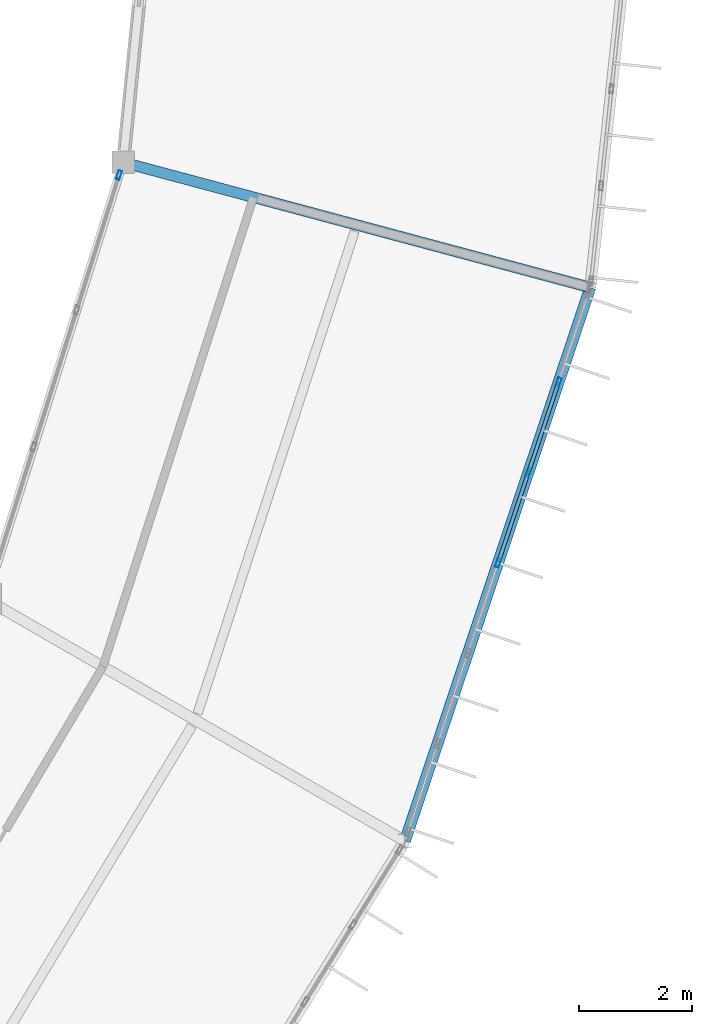
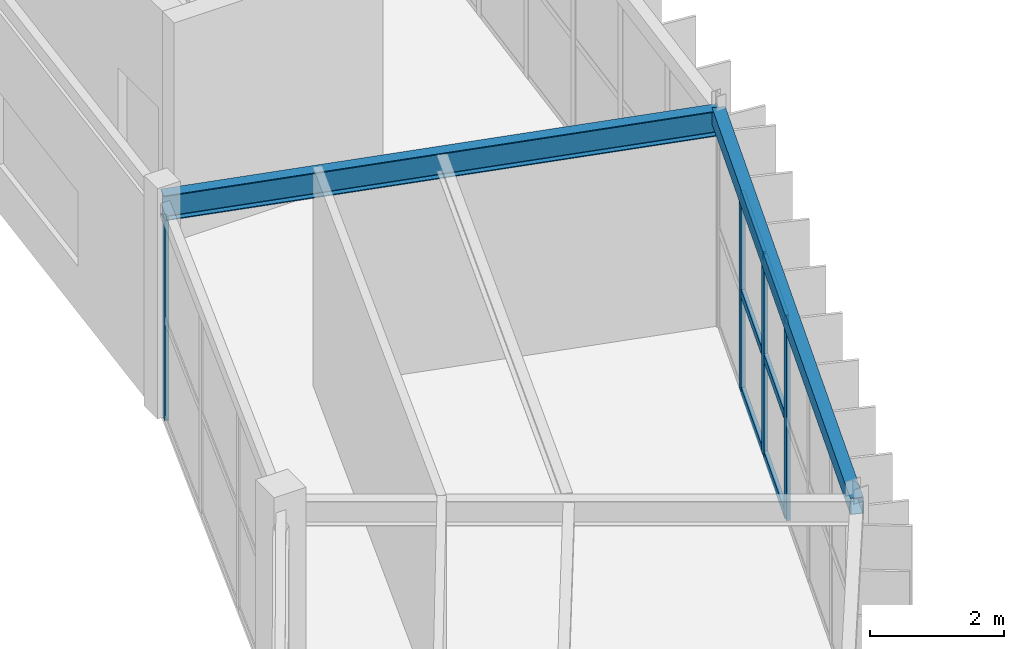
# One storey, part 59 of 134: 10 members, 2 beams, 2 elements without a shape of their own.
"""IFC4 building model written with IfcOpenShell, lengths in metres."""

from ifc_helpers import new_model, si_unit, direction, frame, origin, origin_2d, place, context, subcontext, project, spatial, hollow_rectangle, i_section, extrude, material, material_profile, profile_set, type_object, element, aggregate, save


model = new_model("IFC4")

# Units and contexts
model_context = context("Model", 3, precision=1e-05, world=origin(), true_north=direction((0.0, 1.0)))
body_context = subcontext(model_context, "Body", "Model", "MODEL_VIEW")
ifc_project = project(units=[si_unit("LENGTHUNIT", "METRE"), si_unit("AREAUNIT", "SQUARE_METRE"), si_unit("VOLUMEUNIT", "CUBIC_METRE"), si_unit("PLANEANGLEUNIT", "RADIAN"), si_unit("MASSUNIT", "GRAM", prefix="KILO")], contexts=[model_context])

# Site, building, storey
site_placement = place(None, origin())
site = spatial("IfcSite", under=ifc_project, at=site_placement, CompositionType="ELEMENT")
building_placement = place(site_placement, origin())
building = spatial("IfcBuilding", under=site, at=building_placement, Name="Karori Crest Natural Sciences Institute", CompositionType="ELEMENT")
storey_placement = place(building_placement, frame((0.0, 0.0, 21.699951171875)))
storey = spatial("IfcBuildingStorey", under=building, at=storey_placement, Name="L05", CompositionType="ELEMENT", Elevation=21.699951171875)

# Beams
ifc_material_1 = material(Name="Structural steel AS/NZS 3679.1 Grade 350", Category="steel")
ifc_material_profile_1 = material_profile(ifc_material_1, i_section(OverallWidth=0.19091796875, OverallDepth=0.4599609375, WebThickness=0.010009765625, FlangeThickness=0.01611328125, FilletRadius=0.010986328125, at=origin_2d()), Name="460UB82.1")
ifc_profile_set_1 = profile_set([ifc_material_profile_1], Name="Structural steel AS/NZS 3679.1 Grade 350")
beam_type_1 = type_object("IfcBeamType", Name="BT-06", PredefinedType="BEAM", material=ifc_profile_set_1)
beam_1_placement = place(storey_placement, frame((89.968505859375, 41.56591796875, 3.7099609375), z_axis=(0.96592752402, -0.258812709002, 0.0), x_axis=(0.258812709002, 0.96592752402, 0.0)))
element("IfcBeam", 1, at=beam_1_placement, inside=storey, type_object=beam_type_1, Name="Beam B-0618", PredefinedType="BEAM", context=body_context, shape_type="SweptSolid", body=[
    extrude(i_section(OverallWidth=0.19091796875, OverallDepth=0.4599609375, WebThickness=0.010009765625, FlangeThickness=0.01611328125, FilletRadius=0.010986328125, at=origin_2d()), origin(), (0.0, 0.0, 1.0), 8.60009765625),
])
ifc_material_2 = material(Name="Hollow structural steel AS/NZS 1163 Grade C350", Category="steel")
ifc_material_profile_2 = material_profile(ifc_material_2, hollow_rectangle(XDim=0.199951171875, YDim=0.300048828125, WallThickness=0.010009765625, at=origin_2d()), Name="RHS300x200x10")
ifc_profile_set_2 = profile_set([ifc_material_profile_2], Name="Hollow structural steel AS/NZS 1163 Grade C350")
beam_type_2 = type_object("IfcBeamType", Name="BT-15", PredefinedType="SPANDREL", material=ifc_profile_set_2)
beam_2_placement = place(storey_placement, frame((94.978759765625, 29.5, 3.7900390625), z_axis=(0.317688324477, 0.948195195353, 0.0), x_axis=(-0.948195195353, 0.317688324477, 0.0)))
element("IfcBeam", 2, at=beam_2_placement, inside=storey, type_object=beam_type_2, Name="Beam B-0612", PredefinedType="SPANDREL", context=body_context, shape_type="SweptSolid", body=[
    extrude(hollow_rectangle(XDim=0.199951171875, YDim=0.300048828125, WallThickness=0.010009765625, at=origin_2d()), origin(), (0.0, 0.0, 1.0), 10.377685546875),
])

# Curtain wall, members
ifc_material_3 = material(Name="Anodised architectural aluminium 6063-T6", Category="aluminium")
curtain_wall_type_1 = type_object("IfcCurtainWallType", Name="CWT-03", PredefinedType="NOTDEFINED", material=ifc_material_3)
curtain_wall_1_placement = place(storey_placement, origin())
curtain_wall_1 = element("IfcCurtainWall", 3, at=curtain_wall_1_placement, inside=storey, type_object=curtain_wall_type_1, Name="Curtain wall CW-0205", PredefinedType="NOTDEFINED")
ifc_material_profile_3 = material_profile(ifc_material_3, hollow_rectangle(XDim=0.06494140625, YDim=0.159912109375, WallThickness=0.00390625, at=origin_2d()), Name="CWM160x65x4")
ifc_profile_set_3 = profile_set([ifc_material_profile_3], Name="Anodised architectural aluminium 6063-T6")
member_type_1 = type_object("IfcMemberType", Name="CWM-01", PredefinedType="MULLION", material=ifc_profile_set_3)
member_1_placement = place(storey_placement, frame((97.7109375, 37.655029296875, 0.0), z_axis=(0.0, 0.0, 1.0), x_axis=(0.94819805026, -0.317679803392, 0.0)))
member_1 = element("IfcMember", 4, at=member_1_placement, type_object=member_type_1, Name="CW-0205 mullion 2", PredefinedType="MULLION", context=body_context, shape_type="SweptSolid", body=[
    extrude(hollow_rectangle(XDim=0.06494140625, YDim=0.159912109375, WallThickness=0.00390625, at=origin_2d()), origin(), (0.0, 0.0, 1.0), 3.625),
])
member_2_placement = place(storey_placement, frame((97.1728515625, 36.049072265625, 0.0), z_axis=(0.0, 0.0, 1.0), x_axis=(0.94819805026, -0.317679803392, 0.0)))
member_2 = element("IfcMember", 5, at=member_2_placement, type_object=member_type_1, Name="CW-0205 mullion 3", PredefinedType="MULLION", context=body_context, shape_type="SweptSolid", body=[
    extrude(hollow_rectangle(XDim=0.06494140625, YDim=0.159912109375, WallThickness=0.00390625, at=origin_2d()), origin(), (0.0, 0.0, 1.0), 3.625),
])
member_3_placement = place(storey_placement, frame((96.635009765625, 34.443115234375, 0.0), z_axis=(0.0, 0.0, 1.0), x_axis=(0.94819805026, -0.317679803392, 0.0)))
member_3 = element("IfcMember", 6, at=member_3_placement, type_object=member_type_1, Name="CW-0205 mullion 4", PredefinedType="MULLION", context=body_context, shape_type="SweptSolid", body=[
    extrude(hollow_rectangle(XDim=0.06494140625, YDim=0.159912109375, WallThickness=0.00390625, at=origin_2d()), origin(), (0.0, 0.0, 1.0), 3.625),
])

# Curtain wall, member
curtain_wall_type_2 = type_object("IfcCurtainWallType", Name="CWT-13", PredefinedType="NOTDEFINED", material=ifc_material_3)
curtain_wall_2_placement = place(storey_placement, origin())
curtain_wall_2 = element("IfcCurtainWall", 7, at=curtain_wall_2_placement, inside=storey, type_object=curtain_wall_type_2, Name="Curtain wall CW-0206", PredefinedType="NOTDEFINED")
member_4_placement = place(storey_placement, frame((89.896728515625, 41.3369140625, 0.0), z_axis=(0.0, 0.0, 1.0), x_axis=(-0.954104067778, 0.299475254154, 0.0)))
member_4 = element("IfcMember", 8, at=member_4_placement, type_object=member_type_1, Name="CW-0206 mullion 4", PredefinedType="MULLION", context=body_context, shape_type="SweptSolid", body=[
    extrude(hollow_rectangle(XDim=0.06494140625, YDim=0.159912109375, WallThickness=0.00390625, at=origin_2d()), origin(), (0.0, 0.0, 1.0), 3.650146484375),
])
aggregate(curtain_wall_2, [member_4])

# Member
ifc_material_profile_4 = material_profile(ifc_material_3, hollow_rectangle(XDim=0.06494140625, YDim=0.14990234375, WallThickness=0.00390625, at=origin_2d()), Name="CWT150x65x4")
ifc_profile_set_4 = profile_set([ifc_material_profile_4], Name="Anodised architectural aluminium 6063-T6")
member_type_2 = type_object("IfcMemberType", Name="CWT-TR2", PredefinedType="USERDEFINED", material=ifc_profile_set_4)
member_5_placement = place(storey_placement, frame((97.70068359375, 37.624267578125, 0.032470703125), z_axis=(-0.317621421426, -0.948217608279, 0.0), x_axis=(0.948217608279, -0.317621421426, 0.0)))
member_5 = element("IfcMember", 9, at=member_5_placement, type_object=member_type_2, Name="CW-0205 transom 2.1", ObjectType="TRANSOM", PredefinedType="USERDEFINED", context=body_context, shape_type="SweptSolid", body=[
    extrude(hollow_rectangle(XDim=0.06494140625, YDim=0.14990234375, WallThickness=0.00390625, at=origin_2d()), origin(), (0.0, 0.0, 1.0), 1.628662109375),
])

member_6_placement = place(storey_placement, frame((97.70068359375, 37.624267578125, 1.8125), z_axis=(-0.317621421426, -0.948217608279, 0.0), x_axis=(0.948217608279, -0.317621421426, 0.0)))
member_6 = element("IfcMember", 10, at=member_6_placement, type_object=member_type_2, Name="CW-0205 transom 2.2", ObjectType="TRANSOM", PredefinedType="USERDEFINED", context=body_context, shape_type="SweptSolid", body=[
    extrude(hollow_rectangle(XDim=0.06494140625, YDim=0.14990234375, WallThickness=0.00390625, at=origin_2d()), origin(), (0.0, 0.0, 1.0), 1.628662109375),
])

member_7_placement = place(storey_placement, frame((97.70068359375, 37.624267578125, 3.592529296875), z_axis=(-0.317621421426, -0.948217608279, 0.0), x_axis=(0.948217608279, -0.317621421426, 0.0)))
member_7 = element("IfcMember", 11, at=member_7_placement, type_object=member_type_2, Name="CW-0205 transom 2.3", ObjectType="TRANSOM", PredefinedType="USERDEFINED", context=body_context, shape_type="SweptSolid", body=[
    extrude(hollow_rectangle(XDim=0.06494140625, YDim=0.14990234375, WallThickness=0.00390625, at=origin_2d()), origin(), (0.0, 0.0, 1.0), 1.628662109375),
])

member_8_placement = place(storey_placement, frame((97.16259765625, 36.018310546875, 0.032470703125), z_axis=(-0.317621421426, -0.948217608279, 0.0), x_axis=(0.948217608279, -0.317621421426, 0.0)))
member_8 = element("IfcMember", 12, at=member_8_placement, type_object=member_type_2, Name="CW-0205 transom 3.1", ObjectType="TRANSOM", PredefinedType="USERDEFINED", context=body_context, shape_type="SweptSolid", body=[
    extrude(hollow_rectangle(XDim=0.06494140625, YDim=0.14990234375, WallThickness=0.00390625, at=origin_2d()), origin(), (0.0, 0.0, 1.0), 1.628662109375),
])

member_9_placement = place(storey_placement, frame((97.16259765625, 36.018310546875, 1.8125), z_axis=(-0.317621421426, -0.948217608279, 0.0), x_axis=(0.948217608279, -0.317621421426, 0.0)))
member_9 = element("IfcMember", 13, at=member_9_placement, type_object=member_type_2, Name="CW-0205 transom 3.2", ObjectType="TRANSOM", PredefinedType="USERDEFINED", context=body_context, shape_type="SweptSolid", body=[
    extrude(hollow_rectangle(XDim=0.06494140625, YDim=0.14990234375, WallThickness=0.00390625, at=origin_2d()), origin(), (0.0, 0.0, 1.0), 1.628662109375),
])

member_10_placement = place(storey_placement, frame((97.16259765625, 36.018310546875, 3.592529296875), z_axis=(-0.317621421426, -0.948217608279, 0.0), x_axis=(0.948217608279, -0.317621421426, 0.0)))
member_10 = element("IfcMember", 14, at=member_10_placement, type_object=member_type_2, Name="CW-0205 transom 3.3", ObjectType="TRANSOM", PredefinedType="USERDEFINED", context=body_context, shape_type="SweptSolid", body=[
    extrude(hollow_rectangle(XDim=0.06494140625, YDim=0.14990234375, WallThickness=0.00390625, at=origin_2d()), origin(), (0.0, 0.0, 1.0), 1.628662109375),
])

aggregate(curtain_wall_1, [member_1, member_2, member_3, member_5, member_6, member_7, member_8, member_9, member_10])

save(model, "model.ifc")
